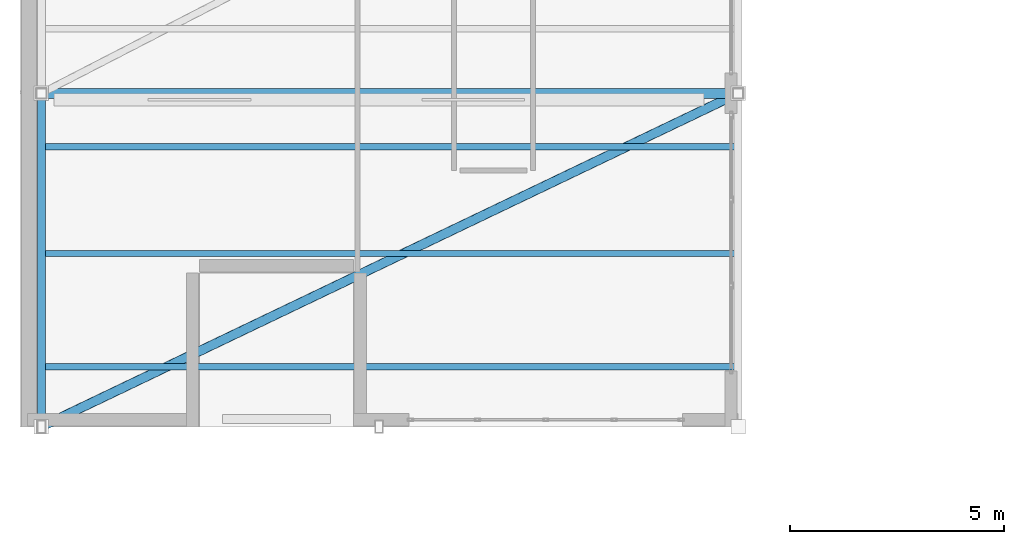
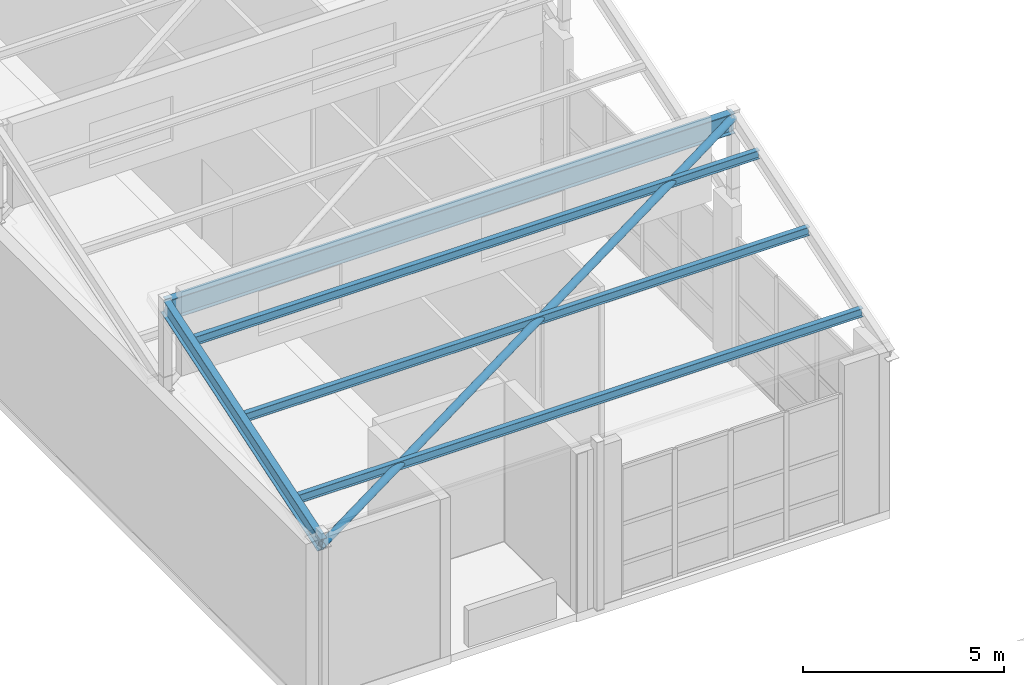
# One storey, part 6 of 34: 4 members, 2 beams.
"""IFC4 building model written with IfcOpenShell, lengths in metres."""

from ifc_helpers import new_model, si_unit, direction, frame, origin, origin_2d, place, context, subcontext, project, spatial, hollow_circle, i_section, extrude, material, material_profile, profile_set, type_object, element, save


model = new_model("IFC4")

# Units and contexts
model_context = context("Model", 3, precision=1e-05, world=origin(), true_north=direction((0.0, 1.0)))
body_context = subcontext(model_context, "Body", "Model", "MODEL_VIEW")
ifc_project = project(units=[si_unit("LENGTHUNIT", "METRE"), si_unit("AREAUNIT", "SQUARE_METRE"), si_unit("VOLUMEUNIT", "CUBIC_METRE"), si_unit("PLANEANGLEUNIT", "RADIAN"), si_unit("MASSUNIT", "GRAM", prefix="KILO")], contexts=[model_context])

# Site, building, storey
site_placement = place(None, origin())
site = spatial("IfcSite", under=ifc_project, at=site_placement, CompositionType="ELEMENT")
building_placement = place(site_placement, origin())
building = spatial("IfcBuilding", under=site, at=building_placement, Name="Quendrovan Civic Courthouse", CompositionType="ELEMENT")
storey_placement = place(building_placement, frame((0.0, 0.0, 25.5)))
storey = spatial("IfcBuildingStorey", under=building, at=storey_placement, Name="L06", CompositionType="ELEMENT", Elevation=25.5)

# Beams
ifc_material_1 = material(Name="Steel ASTM A992 Grade 50", Category="steel")
ifc_material_profile_1 = material_profile(ifc_material_1, i_section(OverallWidth=0.18994140625, OverallDepth=0.45703125, WebThickness=0.009033203125, FlangeThickness=0.014404296875, at=origin_2d()), Name="W460x74")
ifc_profile_set_1 = profile_set([ifc_material_profile_1], Name="Steel ASTM A992 Grade 50")
beam_type_1 = type_object("IfcBeamType", Name="BM-STL-W460", PredefinedType="BEAM", material=ifc_profile_set_1)
beam_1_placement = place(storey_placement, frame((0.5, 23.39990234375, 4.651611328125), z_axis=(0.0, 0.951064034387, 0.308993855111), x_axis=(-1.0, 0.0, 0.0)))
element("IfcBeam", 1, at=beam_1_placement, inside=storey, type_object=beam_type_1, Name="Sawtooth Raking Steel Rafter B1-W", PredefinedType="BEAM", context=body_context, shape_type="SweptSolid", body=[
    extrude(i_section(OverallWidth=0.18994140625, OverallDepth=0.45703125, WebThickness=0.009033203125, FlangeThickness=0.014404296875, at=origin_2d()), origin(), (0.0, 0.0, 1.0), 8.201416015625),
])
ifc_material_profile_2 = material_profile(ifc_material_1, i_section(OverallWidth=0.22900390625, OverallDepth=0.612060546875, WebThickness=0.011962890625, FlangeThickness=0.01953125, at=origin_2d()), Name="W610x125")
ifc_profile_set_2 = profile_set([ifc_material_profile_2], Name="Steel ASTM A992 Grade 50")
beam_type_2 = type_object("IfcBeamType", Name="BM-STL-W610", PredefinedType="BEAM", material=ifc_profile_set_2)
beam_2_placement = place(storey_placement, frame((0.5, 31.199951171875, 7.068359375), z_axis=(1.0, 0.0, 0.0), x_axis=(0.0, 1.0, 0.0)))
element("IfcBeam", 2, at=beam_2_placement, inside=storey, type_object=beam_type_2, Name="Sawtooth Ridge Steel Collector Beam B1", PredefinedType="BEAM", context=body_context, shape_type="SweptSolid", body=[
    extrude(i_section(OverallWidth=0.22900390625, OverallDepth=0.612060546875, WebThickness=0.011962890625, FlangeThickness=0.01953125, at=origin_2d()), origin(), (0.0, 0.0, 1.0), 16.300048828125),
])

# Members
ifc_material_2 = material(Name="Steel ASTM A500 Grade C", Category="steel")
ifc_material_profile_3 = material_profile(ifc_material_2, hollow_circle(Radius=0.109619140625, WallThickness=0.010009765625, at=origin_2d()), Name="CHS219x10")
ifc_profile_set_3 = profile_set([ifc_material_profile_3], Name="Steel ASTM A500 Grade C")
member_type_1 = type_object("IfcMemberType", Name="MEM-BRC-CHS219", PredefinedType="BRACE", material=ifc_profile_set_3)
member_placement = place(storey_placement, frame((0.5, 23.39990234375, 4.651611328125), z_axis=(0.893298311211, 0.427469298957, 0.138881696553), x_axis=(-0.431652451829, 0.902039999573, 0.0)))
element("IfcMember", 3, at=member_placement, inside=storey, type_object=member_type_1, Name="Sawtooth Roof Diagonal Brace B1", PredefinedType="BRACE", context=body_context, shape_type="SweptSolid", body=[
    extrude(hollow_circle(Radius=0.109619140625, WallThickness=0.010009765625, at=origin_2d()), origin(), (0.0, 0.0, 1.0), 18.2470703125),
])
ifc_material_profile_4 = material_profile(ifc_material_1, i_section(OverallWidth=0.14599609375, OverallDepth=0.258056640625, WebThickness=0.006103515625, FlangeThickness=0.009033203125, at=origin_2d()), Name="W250x33")
ifc_profile_set_4 = profile_set([ifc_material_profile_4], Name="Steel ASTM A992 Grade 50")
member_type_2 = type_object("IfcMemberType", Name="MEM-PUR-W250", PredefinedType="PURLIN", material=ifc_profile_set_4)
for number, where, z_axis, x_axis, name in (
    (4, (0.5, 24.803955078125, 5.17724609375), (1.0, 0.0, 0.0), (0.0, 1.0, 0.0), "Sawtooth Roof Steel Purlin B1-1"),
    (5, (0.5, 27.4560546875, 6.038818359375), (1.0, 0.0, 0.0), (0.0, 1.0, 0.0), "Sawtooth Roof Steel Purlin B1-2"),
    (6, (0.5, 29.951904296875, 6.849853515625), (1.0, 0.0, 0.0), (0.0, 1.0, 0.0), "Sawtooth Roof Steel Purlin B1-3"),
):
    element("IfcMember", number, at=place(storey_placement, frame(where, z_axis=z_axis, x_axis=x_axis)), inside=storey, type_object=member_type_2, Name=name, PredefinedType="PURLIN", context=body_context, shape_type="SweptSolid", body=[
        extrude(i_section(OverallWidth=0.14599609375, OverallDepth=0.258056640625, WebThickness=0.006103515625, FlangeThickness=0.009033203125, at=origin_2d()), origin(), (0.0, 0.0, 1.0), 16.300048828125),
    ])

save(model, "model.ifc")
